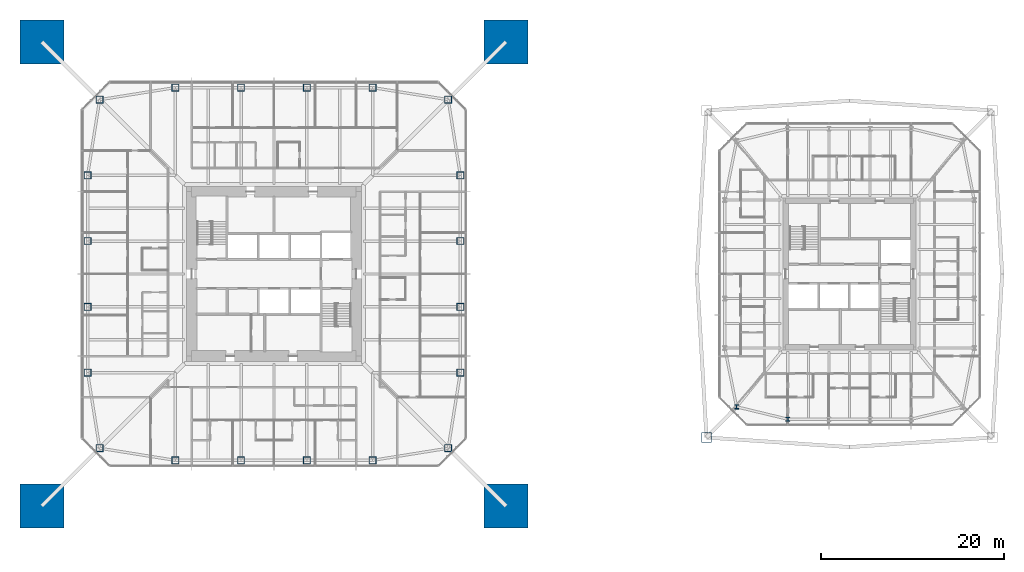
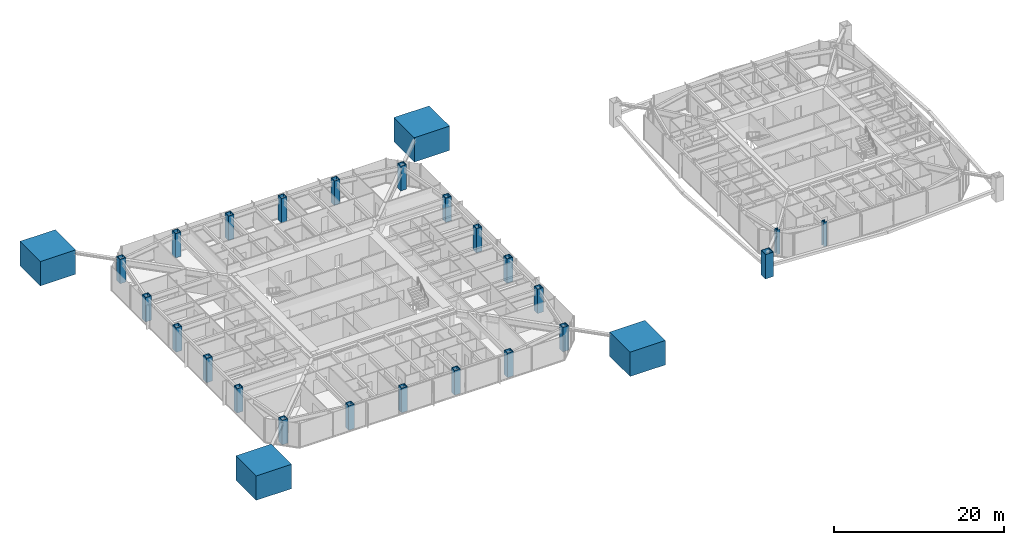
# One storey, part 1 of 25: 27 columns.
"""IFC4 building model written with IfcOpenShell, lengths in metres."""

import ifcopenshell
import ifcopenshell.guid

model = None  # the IFC model being written
_history = None  # IfcOwnerHistory: only IFC2X3 demands one
_inside = {}  # id of a spatial element -> (the spatial element, [elements in it])
_under = {}  # id of a project, library or spatial element -> (it, [spatial elements below it])
_declared = {}  # id of a project -> (the project, [libraries it declares])
_typed = {}  # id of a type object -> (the type object, [elements of that type])
_made_of = {}  # id of a material, layer set ... -> (it, [elements and type objects made of it])


def new_model(schema):
    """Start an empty IFC model of exactly this schema.

    Asked for "IFC4X3", IfcOpenShell would pick the latest addendum, in which some entities
    have other attributes; the version numbers below select the first issue.
    IFC2X3 requires an IfcOwnerHistory on every rooted entity: one is made here for all.
    """
    global model, _history
    if schema == "IFC4X3":
        model = ifcopenshell.file(schema_version=(4, 3, 0, 0))
    else:
        model = ifcopenshell.file(schema=schema)
    _inside.clear()
    _under.clear()
    _declared.clear()
    _typed.clear()
    _made_of.clear()
    _history = None
    if model.schema == "IFC2X3":
        org = make("IfcOrganization", Name="unknown")
        user = make(
            "IfcPersonAndOrganization",
            ThePerson=make("IfcPerson", FamilyName="unknown"),
            TheOrganization=org,
        )
        app = make(
            "IfcApplication",
            ApplicationDeveloper=org,
            Version="unknown",
            ApplicationFullName="unknown",
            ApplicationIdentifier="unknown",
        )
        _history = make(
            "IfcOwnerHistory",
            OwningUser=user,
            OwningApplication=app,
            ChangeAction="ADDED",
            CreationDate=0,
        )
    return model


def make(cls, **values):
    """One entity of the class cls with the attributes given. An attribute that is None is left unset."""
    return model.create_entity(
        cls, **{name: value for name, value in values.items() if value is not None}
    )


def rooted(cls, **values):
    """An entity with a GlobalId (a new one), such as an element, a storey or a relation."""
    return make(cls, GlobalId=ifcopenshell.guid.new(), OwnerHistory=_history, **values)


def si_unit(unit_type, name, prefix=None):
    """IfcSIUnit, for example si_unit("LENGTHUNIT", "METRE", prefix="MILLI")."""
    return make("IfcSIUnit", UnitType=unit_type, Prefix=prefix, Name=name)


def assignment(units):
    """IfcUnitAssignment: the units of a project."""
    return None if units is None else make("IfcUnitAssignment", Units=units)


def point(xyz):
    """IfcCartesianPoint."""
    return None if xyz is None else make("IfcCartesianPoint", Coordinates=xyz)


def direction(xyz):
    """IfcDirection."""
    return None if xyz is None else make("IfcDirection", DirectionRatios=xyz)


def frame(location, z_axis=None, x_axis=None):
    """IfcAxis2Placement3D, a coordinate frame: its origin and axes. An axis left out is left unset."""
    return make(
        "IfcAxis2Placement3D",
        Location=point(location),
        Axis=direction(z_axis),
        RefDirection=direction(x_axis),
    )


def frame_2d(location, x_axis=None):
    """IfcAxis2Placement2D, a coordinate frame in the plane: its origin and x axis."""
    return make(
        "IfcAxis2Placement2D", Location=point(location), RefDirection=direction(x_axis)
    )


def origin():
    """The frame at (0, 0, 0) with its axes left unset."""
    return frame((0.0, 0.0, 0.0))


def origin_2d():
    """The frame at (0, 0) in the plane with its x axis left unset."""
    return frame_2d((0.0, 0.0))


def place(relative_to, where):
    """IfcLocalPlacement: puts the frame where relative to a parent placement (None: the world)."""
    return make(
        "IfcLocalPlacement", PlacementRelTo=relative_to, RelativePlacement=where
    )


def context(
    kind, dimensions, precision=None, world=None, true_north=None, identifier=None
):
    """IfcGeometricRepresentationContext, for example the 3D "Model" context."""
    return make(
        "IfcGeometricRepresentationContext",
        ContextIdentifier=identifier,
        ContextType=kind,
        CoordinateSpaceDimension=dimensions,
        Precision=precision,
        WorldCoordinateSystem=world,
        TrueNorth=true_north,
    )


def subcontext(parent, identifier, kind, view, scale=None):
    """IfcGeometricRepresentationSubContext, for example "Body" below "Model"."""
    return make(
        "IfcGeometricRepresentationSubContext",
        ContextIdentifier=identifier,
        ContextType=kind,
        ParentContext=parent,
        TargetScale=scale,
        TargetView=view,
    )


def project(units=None, contexts=None):
    """IfcProject with its units and contexts."""
    return rooted(
        "IfcProject",
        Name="project",
        RepresentationContexts=contexts,
        UnitsInContext=assignment(units),
    )


def spatial(cls, under=None, at=None, **own):
    """A site, building, storey or space (cls), placed at a placement, below another one or the project."""
    s = rooted(cls, ObjectPlacement=at, **own)
    if under is not None:
        _under.setdefault(under.id(), (under, []))[1].append(s)
    return s


def profile(cls, at=None, kind="AREA", **sizes):
    """A parametric profile (cls). Its sizes go by their IFC names, for example OverallWidth=200.0."""
    return make(cls, ProfileType=kind, Position=at, **sizes)


def rectangle(**sizes):
    """IfcRectangleProfileDef."""
    return profile("IfcRectangleProfileDef", **sizes)


def hollow_rectangle(**sizes):
    """IfcRectangleHollowProfileDef."""
    return profile("IfcRectangleHollowProfileDef", **sizes)


def i_section(**sizes):
    """IfcIShapeProfileDef."""
    return profile("IfcIShapeProfileDef", **sizes)


def extrude(swept, where, along, depth):
    """IfcExtrudedAreaSolid: the profile swept, set in the frame where, extruded along a direction by depth."""
    return make(
        "IfcExtrudedAreaSolid",
        SweptArea=swept,
        Position=where,
        ExtrudedDirection=direction(along),
        Depth=depth,
    )


def shape(context_of_items, identifier, shape_type, items):
    """IfcShapeRepresentation: the items that make up one representation, for example the "Body"."""
    return make(
        "IfcShapeRepresentation",
        ContextOfItems=context_of_items,
        RepresentationIdentifier=identifier,
        RepresentationType=shape_type,
        Items=items,
    )


def material(Name=None, Category=None):
    """IfcMaterial."""
    return make("IfcMaterial", Name=Name, Category=Category)


def material_profile(
    of_material, cross_section, Name=None, Category=None, Priority=None
):
    """IfcMaterialProfile: a cross section and its material."""
    return make(
        "IfcMaterialProfile",
        Name=Name,
        Material=of_material,
        Profile=cross_section,
        Priority=Priority,
        Category=Category,
    )


def profile_set(profiles, Name=None, composite=None):
    """IfcMaterialProfileSet."""
    return make(
        "IfcMaterialProfileSet",
        Name=Name,
        MaterialProfiles=profiles,
        CompositeProfile=composite,
    )


def made_of(thing, what):
    """Note that an element or type object is made of a material, layer set ...; save() writes the relation."""
    if what is not None:
        _made_of.setdefault(what.id(), (what, []))[1].append(thing)
    return thing


def type_object(cls, material=None, **own):
    """A type object (cls), such as IfcWallType, which elements share."""
    return made_of(rooted(cls, **own), material)


def element(
    cls,
    number,
    at=None,
    inside=None,
    cuts=None,
    type_object=None,
    material=None,
    context=None,
    identifier="Body",
    shape_type=None,
    held_by="IfcProductDefinitionShape",
    body=None,
    shapes=None,
    **own,
):
    """One element of the class cls, such as IfcWall. Its Tag is "e" and its number.

    at: its placement. inside: the storey or other place that contains it. cuts: it is an
    opening in that element (IfcRelVoidsElement). A single representation is given by context,
    identifier, shape_type and body (its items); several are given by shapes. held_by: the class
    of the entity that holds the representations. save() writes the other relations.
    """
    e = rooted(cls, Tag="e%d" % number, ObjectPlacement=at, **own)
    if body is not None:
        shapes = [shape(context, identifier, shape_type, body)]
    if shapes is not None:
        e.Representation = make(held_by, Representations=shapes)
    if inside is not None:
        _inside.setdefault(inside.id(), (inside, []))[1].append(e)
    if cuts is not None:
        rooted(
            "IfcRelVoidsElement", RelatingBuildingElement=cuts, RelatedOpeningElement=e
        )
    if type_object is not None:
        _typed.setdefault(type_object.id(), (type_object, []))[1].append(e)
    return made_of(e, material)


def aggregate(whole, parts):
    """IfcRelAggregates: a whole, such as a stair, and the parts it consists of."""
    return rooted("IfcRelAggregates", RelatingObject=whole, RelatedObjects=parts)


def save(model, path):
    """Write the relations noted so far, then the file.

    IfcRelAggregates (storeys below a building ...), IfcRelContainedInSpatialStructure (elements
    in a storey), IfcRelDefinesByType, IfcRelAssociatesMaterial and IfcRelDeclares: one each for
    every whole, place, type object, material and project.
    """
    for whole, parts in _under.values():
        aggregate(whole, parts)
    for where, things in _inside.values():
        rooted(
            "IfcRelContainedInSpatialStructure",
            RelatedElements=things,
            RelatingStructure=where,
        )
    for kind, things in _typed.values():
        rooted("IfcRelDefinesByType", RelatedObjects=things, RelatingType=kind)
    for what, things in _made_of.values():
        rooted("IfcRelAssociatesMaterial", RelatedObjects=things, RelatingMaterial=what)
    for by, libraries in _declared.values():
        rooted("IfcRelDeclares", RelatingContext=by, RelatedDefinitions=libraries)
    model.write(path)


model = new_model("IFC4")

# Units and contexts
model_context = context("Model", 3, precision=1e-05, world=origin(), true_north=direction((0.0, 1.0)))
body_context = subcontext(model_context, "Body", "Model", "MODEL_VIEW")
ifc_project = project(units=[si_unit("LENGTHUNIT", "METRE"), si_unit("AREAUNIT", "SQUARE_METRE"), si_unit("VOLUMEUNIT", "CUBIC_METRE"), si_unit("PLANEANGLEUNIT", "RADIAN"), si_unit("MASSUNIT", "GRAM", prefix="KILO")], contexts=[model_context])

# Site, building, storey
site_placement = place(None, origin())
site = spatial("IfcSite", under=ifc_project, at=site_placement, CompositionType="ELEMENT")
building_placement = place(site_placement, origin())
building = spatial("IfcBuilding", under=site, at=building_placement, Name="Iwan Alto Co-Living Towers", CompositionType="ELEMENT")
storey_placement = place(building_placement, frame((0.0, 0.0, 87.5)))
storey = spatial("IfcBuildingStorey", under=building, at=storey_placement, Name="L23", CompositionType="ELEMENT", Elevation=87.5)

# Columns
ifc_material_1 = material(Name="Concrete f'c 70 MPa", Category="concrete")
ifc_material_profile_1 = material_profile(ifc_material_1, rectangle(XDim=4.800048828125, YDim=4.800048828125, at=origin_2d()), Name="RC 4800X4800")
ifc_profile_set_1 = profile_set([ifc_material_profile_1], Name="Concrete f'c 70 MPa")
column_type_1 = type_object("IfcColumnType", Name="T1 MEGA COLUMN RC 4800X4800", PredefinedType="COLUMN", material=ifc_profile_set_1)
for number, where, z_axis, x_axis, name in (
    (1, (-25.39990234375, -25.39990234375, 0.0), (0.0, 0.0, 1.0), (1.0, 0.0, 0.0), "T1 mega column SW L23"),
    (2, (25.39990234375, -25.39990234375, 0.0), (0.0, 0.0, 1.0), (1.0, 0.0, 0.0), "T1 mega column SE L23"),
    (3, (25.39990234375, 25.39990234375, 0.0), (0.0, 0.0, 1.0), (1.0, 0.0, 0.0), "T1 mega column NE L23"),
    (4, (-25.39990234375, 25.39990234375, 0.0), (0.0, 0.0, 1.0), (1.0, 0.0, 0.0), "T1 mega column NW L23"),
):
    element("IfcColumn", number, at=place(storey_placement, frame(where, z_axis=z_axis, x_axis=x_axis)), inside=storey, type_object=column_type_1, Name=name, PredefinedType="COLUMN", context=body_context, shape_type="SweptSolid", body=[
        extrude(rectangle(XDim=4.800048828125, YDim=4.800048828125, at=origin_2d()), origin(), (0.0, 0.0, 1.0), 3.5),
        extrude(i_section(OverallWidth=0.4775390625, OverallDepth=0.599365234375, WebThickness=0.10009765625, FlangeThickness=0.139892578125, at=origin_2d()), origin(), (0.0, 0.0, 1.0), 3.5),
    ])
ifc_material_2 = material(Name="Steel ASTM A572 Gr 50", Category="steel")
ifc_material_profile_2 = material_profile(ifc_material_2, hollow_rectangle(XDim=0.800048828125, YDim=0.800048828125, WallThickness=0.070068359375, at=origin_2d()), Name="BOX 800X800X70")
ifc_profile_set_2 = profile_set([ifc_material_profile_2], Name="Steel ASTM A572 Gr 50")
column_type_2 = type_object("IfcColumnType", Name="T1 RING COLUMN BOX 800X800X70", PredefinedType="COLUMN", material=ifc_profile_set_2)
for number, where, z_axis, x_axis, name in (
    (5, (-19.07568359375, -19.07568359375, 0.0), (0.0, 0.0, 1.0), (1.0, 0.0, 0.0), "T1 ring column CSW L23"),
    (6, (-10.800048828125, -20.39990234375, 0.0), (0.0, 0.0, 1.0), (1.0, 0.0, 0.0), "T1 ring column S1 L23"),
    (7, (-3.60009765625, -20.39990234375, 0.0), (0.0, 0.0, 1.0), (1.0, 0.0, 0.0), "T1 ring column S2 L23"),
    (8, (3.60009765625, -20.39990234375, 0.0), (0.0, 0.0, 1.0), (1.0, 0.0, 0.0), "T1 ring column S3 L23"),
    (9, (10.800048828125, -20.39990234375, 0.0), (0.0, 0.0, 1.0), (1.0, 0.0, 0.0), "T1 ring column S4 L23"),
    (10, (19.07568359375, -19.07568359375, 0.0), (0.0, 0.0, 1.0), (1.0, 0.0, 0.0), "T1 ring column CSE L23"),
    (11, (20.39990234375, -10.800048828125, 0.0), (0.0, 0.0, 1.0), (1.0, 0.0, 0.0), "T1 ring column E1 L23"),
    (12, (20.39990234375, -3.60009765625, 0.0), (0.0, 0.0, 1.0), (1.0, 0.0, 0.0), "T1 ring column E2 L23"),
    (13, (20.39990234375, 3.60009765625, 0.0), (0.0, 0.0, 1.0), (1.0, 0.0, 0.0), "T1 ring column E3 L23"),
    (14, (20.39990234375, 10.800048828125, 0.0), (0.0, 0.0, 1.0), (1.0, 0.0, 0.0), "T1 ring column E4 L23"),
    (15, (19.07568359375, 19.07568359375, 0.0), (0.0, 0.0, 1.0), (1.0, 0.0, 0.0), "T1 ring column CNE L23"),
    (16, (10.800048828125, 20.39990234375, 0.0), (0.0, 0.0, 1.0), (1.0, 0.0, 0.0), "T1 ring column N1 L23"),
    (17, (3.60009765625, 20.39990234375, 0.0), (0.0, 0.0, 1.0), (1.0, 0.0, 0.0), "T1 ring column N2 L23"),
    (18, (-3.60009765625, 20.39990234375, 0.0), (0.0, 0.0, 1.0), (1.0, 0.0, 0.0), "T1 ring column N3 L23"),
    (19, (-10.800048828125, 20.39990234375, 0.0), (0.0, 0.0, 1.0), (1.0, 0.0, 0.0), "T1 ring column N4 L23"),
    (20, (-19.07568359375, 19.07568359375, 0.0), (0.0, 0.0, 1.0), (1.0, 0.0, 0.0), "T1 ring column CNW L23"),
    (21, (-20.39990234375, 10.800048828125, 0.0), (0.0, 0.0, 1.0), (1.0, 0.0, 0.0), "T1 ring column W1 L23"),
    (22, (-20.39990234375, 3.60009765625, 0.0), (0.0, 0.0, 1.0), (1.0, 0.0, 0.0), "T1 ring column W2 L23"),
    (23, (-20.39990234375, -3.60009765625, 0.0), (0.0, 0.0, 1.0), (1.0, 0.0, 0.0), "T1 ring column W3 L23"),
    (24, (-20.39990234375, -10.800048828125, 0.0), (0.0, 0.0, 1.0), (1.0, 0.0, 0.0), "T1 ring column W4 L23"),
):
    element("IfcColumn", number, at=place(storey_placement, frame(where, z_axis=z_axis, x_axis=x_axis)), inside=storey, type_object=column_type_2, Name=name, PredefinedType="COLUMN", context=body_context, shape_type="SweptSolid", body=[
        extrude(hollow_rectangle(XDim=0.800048828125, YDim=0.800048828125, WallThickness=0.070068359375, at=origin_2d()), origin(), (0.0, 0.0, 1.0), 3.5),
    ])
ifc_material_3 = material(Name="Steel ASTM A572 Gr 50", Category="steel")
ifc_material_profile_3 = material_profile(ifc_material_3, hollow_rectangle(XDim=1.10009765625, YDim=1.10009765625, WallThickness=0.06005859375, at=origin_2d()), Name="BOX 1100X1100X60")
ifc_profile_set_3 = profile_set([ifc_material_profile_3], Name="Steel ASTM A572 Gr 50")
column_type_3 = type_object("IfcColumnType", Name="T2 MEGA COLUMN BOX 1100X1100X60", PredefinedType="COLUMN", material=ifc_profile_set_3)
column_placement = place(storey_placement, frame((47.35009765625, -17.89990234375, 0.0), z_axis=(0.0, 0.0, 1.0), x_axis=(1.0, 0.0, 0.0)))
element("IfcColumn", 25, at=column_placement, inside=storey, type_object=column_type_3, Name="T2 mega column SW L23", PredefinedType="COLUMN", context=body_context, shape_type="SweptSolid", body=[
    extrude(hollow_rectangle(XDim=1.10009765625, YDim=1.10009765625, WallThickness=0.06005859375, at=origin_2d()), origin(), (0.0, 0.0, 1.0), 3.5),
])
ifc_material_4 = material(Name="Steel ASTM A992 Gr 50", Category="steel")
ifc_material_profile_4 = material_profile(ifc_material_4, i_section(OverallWidth=0.4267578125, OverallDepth=0.482666015625, WebThickness=0.05126953125, FlangeThickness=0.08154296875, at=origin_2d()), Name="W14X455")
ifc_profile_set_4 = profile_set([ifc_material_profile_4], Name="Steel ASTM A992 Gr 50")
column_type_4 = type_object("IfcColumnType", Name="T2 RING COLUMN W14X455", PredefinedType="COLUMN", material=ifc_profile_set_4)
for number, where, z_axis, x_axis, name in (
    (26, (50.638671875, -14.542724609375, 0.0), (0.0, 0.0, 1.0), (1.0, 0.0, 0.0), "T2 ring column CSW L23"),
    (27, (56.25, -15.89990234375, 0.0), (0.0, 0.0, 1.0), (1.0, 0.0, 0.0), "T2 ring column S1 L23"),
):
    element("IfcColumn", number, at=place(storey_placement, frame(where, z_axis=z_axis, x_axis=x_axis)), inside=storey, type_object=column_type_4, Name=name, PredefinedType="COLUMN", context=body_context, shape_type="SweptSolid", body=[
        extrude(i_section(OverallWidth=0.4267578125, OverallDepth=0.482666015625, WebThickness=0.05126953125, FlangeThickness=0.08154296875, at=origin_2d()), origin(), (0.0, 0.0, 1.0), 3.5),
    ])

save(model, "model.ifc")
